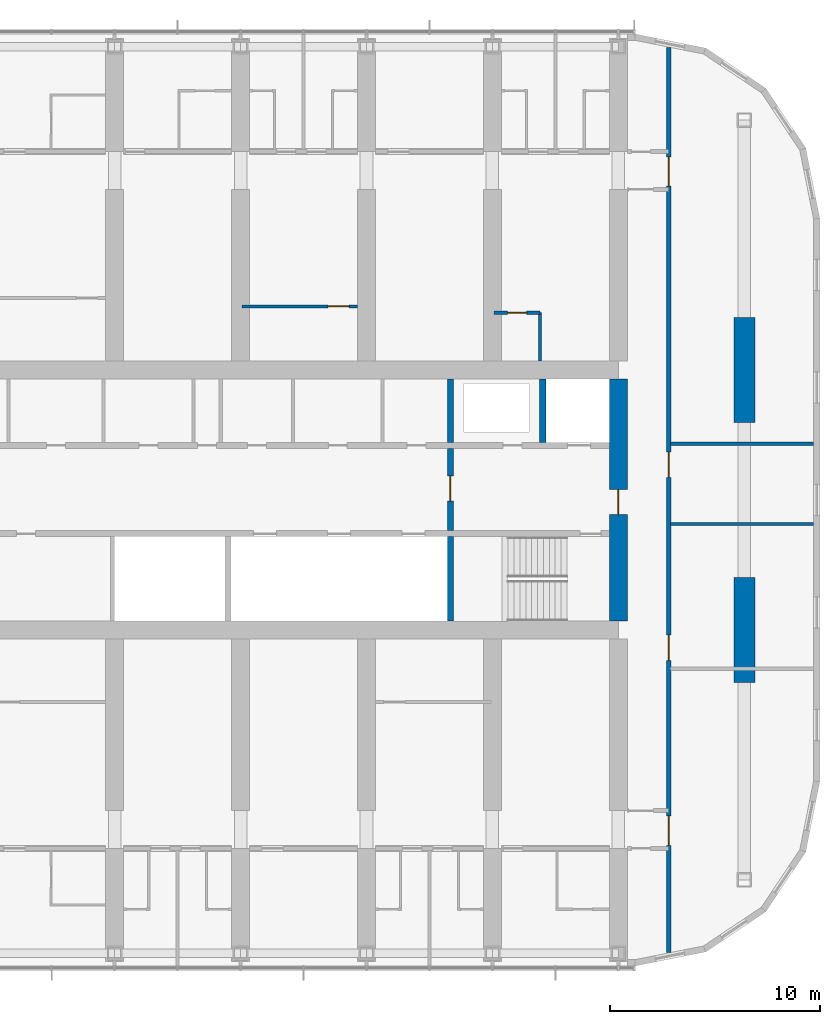
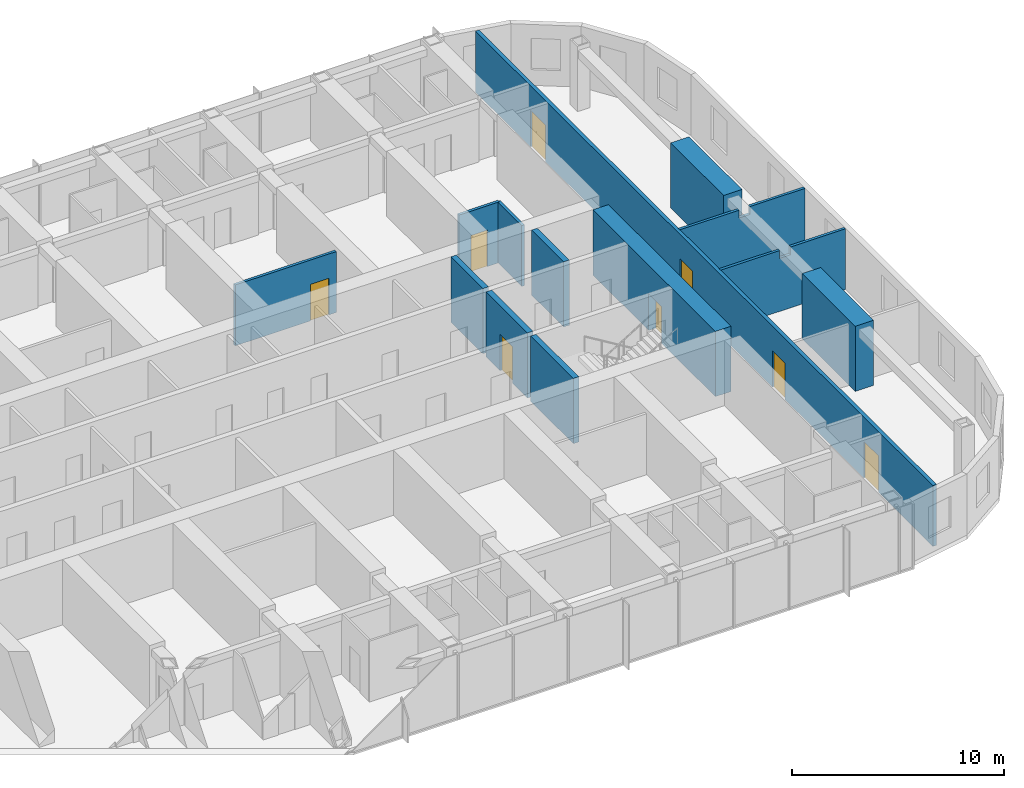
# One storey, part 14 of 22: 13 walls, 8 doors, 8 openings.
"""IFC4 building model written with IfcOpenShell, lengths in metres."""

from ifc_helpers import new_model, si_unit, direction, frame, frame_2d, origin, place, context, subcontext, project, spatial, polyline, rectangle, outline, extrude, material, layer, layer_set, type_object, element, fill, save


model = new_model("IFC4")

# Units and contexts
model_context = context("Model", 3, precision=1e-05, world=origin(), true_north=direction((0.0, 1.0)))
body_context = subcontext(model_context, "Body", "Model", "MODEL_VIEW")
ifc_project = project(units=[si_unit("LENGTHUNIT", "METRE"), si_unit("AREAUNIT", "SQUARE_METRE"), si_unit("VOLUMEUNIT", "CUBIC_METRE"), si_unit("PLANEANGLEUNIT", "RADIAN"), si_unit("MASSUNIT", "GRAM", prefix="KILO")], contexts=[model_context])

# Site, building, storey
site_placement = place(None, origin())
site = spatial("IfcSite", under=ifc_project, at=site_placement, CompositionType="ELEMENT")
building_placement = place(site_placement, origin())
building = spatial("IfcBuilding", under=site, at=building_placement, Name="Orbita Commons", CompositionType="ELEMENT")
storey_placement = place(building_placement, frame((0.0, 0.0, 167.35009765625)))
storey = spatial("IfcBuildingStorey", under=building, at=storey_placement, Name="L41", CompositionType="ELEMENT", Elevation=167.35009765625)

# Wall
ifc_material_1 = material(Name="Concrete C50/60", Category="concrete")
ifc_layer_1 = layer(ifc_material_1, 0.300048828125)
ifc_layer_set_1 = layer_set([ifc_layer_1], Name="Concrete C50/60")
wall_type_1 = type_object("IfcWallType", Name="Core inner wall 300 C50/60", PredefinedType="SHEAR", material=ifc_layer_set_1)
wall_1_placement = place(storey_placement, frame((58.0, 26.22509765625, 0.0), z_axis=(0.0, 0.0, 1.0), x_axis=(0.0, 1.0, 0.0)))
element("IfcWall", 1, at=wall_1_placement, inside=storey, type_object=wall_type_1, Name="Stair S2 wall L41", PredefinedType="SHEAR", context=body_context, shape_type="SweptSolid", body=[
    extrude(rectangle(XDim=4.02490234375, YDim=0.300048828125, at=frame_2d((2.012451171875, 0.0))), origin(), (0.0, 0.0, 1.0), 3.75),
])

# Wall, opening, door
wall_2_placement = place(storey_placement, frame((58.0, 30.550048828125, 0.0), z_axis=(0.0, 0.0, 1.0), x_axis=(0.0, 1.0, 0.0)))
wall_2 = element("IfcWall", 2, at=wall_2_placement, inside=storey, type_object=wall_type_1, Name="Firefighting lobby wall east L41", PredefinedType="SHEAR", context=body_context, shape_type="SweptSolid", body=[
    extrude(rectangle(XDim=3.89990234375, YDim=0.300048828125, at=frame_2d((1.949951171875, 0.0))), origin(), (0.0, 0.0, 1.0), 3.75),
])
opening_1_placement = place(wall_2_placement, frame((1.39990234375, 0.0, 0.0)))
opening_1 = element("IfcOpeningElement", 3, at=opening_1_placement, cuts=wall_2, Name="Opening D04", PredefinedType="OPENING", context=body_context, shape_type="SweptSolid", body=[
    extrude(rectangle(XDim=1.199951171875, YDim=2.10009765625, at=frame_2d((0.60009765625, 1.050048828125))), frame((0.0, 0.159912109375, 0.0), z_axis=(0.0, -1.0, 0.0), x_axis=(1.0, 0.0, 0.0)), (0.0, 0.0, 1.0), 0.320068359375),
])
ifc_material_2 = material(Name="Steel-faced fire door leaf", Category="steel")
door_type_1 = type_object("IfcDoorType", Name="Service door 20 min 1200x2100", OperationType="SINGLE_SWING_LEFT", PredefinedType="DOOR", material=ifc_material_2)
door_1_placement = place(opening_1_placement, origin())
door_1 = element("IfcDoor", 4, at=door_1_placement, inside=storey, type_object=door_type_1, Name="Lift lobby door east", OperationType="SINGLE_SWING_LEFT", OverallHeight=2.10009765625, OverallWidth=1.199951171875, PredefinedType="DOOR", context=body_context, shape_type="SweptSolid", body=[
    extrude(rectangle(XDim=1.199951171875, YDim=2.10009765625, at=frame_2d((0.60009765625, 1.050048828125))), frame((0.0, 0.02490234375, 0.0), z_axis=(0.0, -1.0, 0.0), x_axis=(1.0, 0.0, 0.0)), (0.0, 0.0, 1.0), 0.050048828125),
])
fill(opening_1, door_1)

# Walls
for number, where, z_axis, x_axis, name in (
    (5, (62.39990234375, 34.75, 0.0), (0.0, 0.0, 1.0), (0.0, 1.0, 0.0), "Firefighting lift FL2 shaft wall L41"),
    (6, (58.0, 34.75, 0.0), (0.0, 0.0, 1.0), (0.0, 1.0, 0.0), "Riser wall east L41"),
):
    element("IfcWall", number, at=place(storey_placement, frame(where, z_axis=z_axis, x_axis=x_axis)), inside=storey, type_object=wall_type_1, Name=name, PredefinedType="SHEAR", context=body_context, shape_type="SweptSolid", body=[
        extrude(rectangle(XDim=3.02490234375, YDim=0.300048828125, at=frame_2d((1.512451171875, 0.0))), origin(), (0.0, 0.0, 1.0), 3.75),
    ])

# Wall, opening, door
ifc_material_3 = material(Name="Concrete C50/60", Category="concrete")
ifc_layer_2 = layer(ifc_material_3, 0.85009765625)
ifc_layer_set_2 = layer_set([ifc_layer_2], Name="Concrete C50/60")
wall_type_2 = type_object("IfcWallType", Name="Core wall 850 C50/60", PredefinedType="SHEAR", material=ifc_layer_set_2)
wall_3_placement = place(storey_placement, frame((66.0, 26.22509765625, 0.0), z_axis=(0.0, 0.0, 1.0), x_axis=(0.0, 1.0, 0.0)))
wall_3 = element("IfcWall", 7, at=wall_3_placement, inside=storey, type_object=wall_type_2, Name="Core end wall east L41", PredefinedType="SHEAR", context=body_context, shape_type="SweptSolid", body=[
    extrude(rectangle(XDim=11.5498046875, YDim=0.85009765625, at=frame_2d((5.77490234375, 0.0))), origin(), (0.0, 0.0, 1.0), 3.75),
])
opening_2_placement = place(wall_3_placement, frame((5.074951171875, 0.0, 0.0)))
opening_2 = element("IfcOpeningElement", 8, at=opening_2_placement, cuts=wall_3, Name="Opening D01", PredefinedType="OPENING", context=body_context, shape_type="SweptSolid", body=[
    extrude(rectangle(XDim=1.199951171875, YDim=2.10009765625, at=frame_2d((0.60009765625, 1.050048828125))), frame((0.0, 0.43505859375, 0.0), z_axis=(0.0, -1.0, 0.0), x_axis=(1.0, 0.0, 0.0)), (0.0, 0.0, 1.0), 0.8701171875),
])
ifc_material_4 = material(Name="Steel-faced fire door leaf", Category="steel")
door_type_2 = type_object("IfcDoorType", Name="Fire door 90 min 1200x2100", OperationType="SINGLE_SWING_LEFT", PredefinedType="DOOR", material=ifc_material_4)
door_2_placement = place(opening_2_placement, origin())
door_2 = element("IfcDoor", 9, at=door_2_placement, inside=storey, type_object=door_type_2, Name="Firefighting lobby east door", OperationType="SINGLE_SWING_LEFT", OverallHeight=2.10009765625, OverallWidth=1.199951171875, PredefinedType="DOOR", context=body_context, shape_type="SweptSolid", body=[
    extrude(rectangle(XDim=1.199951171875, YDim=2.10009765625, at=frame_2d((0.60009765625, 1.050048828125))), frame((0.0, 0.02490234375, 0.0), z_axis=(0.0, -1.0, 0.0), x_axis=(1.0, 0.0, 0.0)), (0.0, 0.0, 1.0), 0.050048828125),
])
fill(opening_2, door_2)

# Wall, openings, doors
ifc_material_5 = material(Name="Concrete blockwork", Category="masonry")
ifc_layer_3 = layer(ifc_material_5, 0.199951171875)
ifc_layer_set_3 = layer_set([ifc_layer_3], Name="Concrete blockwork")
wall_type_3 = type_object("IfcWallType", Name="Corridor wall 200 blockwork", PredefinedType="SOLIDWALL", material=ifc_layer_set_3)
wall_4_placement = place(storey_placement, frame((68.39990234375, 10.4462890625, 0.0), z_axis=(0.0, 0.0, 1.0), x_axis=(0.0, 1.0, 0.0)))
wall_4 = element("IfcWall", 10, at=wall_4_placement, inside=storey, type_object=wall_type_3, Name="Corridor wall 200 blockwork L41", PredefinedType="SOLIDWALL", context=body_context, shape_type="SweptSolid", body=[
    extrude(rectangle(XDim=43.107421875, YDim=0.199951171875, at=frame_2d((21.5537109375, 0.0))), origin(), (0.0, 0.0, 1.0), 3.5),
])
opening_3_placement = place(wall_4_placement, frame((13.913818359375, 0.0, 0.0)))
opening_3 = element("IfcOpeningElement", 11, at=opening_3_placement, cuts=wall_4, Name="Opening D15", PredefinedType="OPENING", context=body_context, shape_type="SweptSolid", body=[
    extrude(rectangle(XDim=1.199951171875, YDim=2.10009765625, at=frame_2d((0.60009765625, 1.050048828125))), frame((0.0, 0.10986328125, 0.0), z_axis=(0.0, -1.0, 0.0), x_axis=(1.0, 0.0, 0.0)), (0.0, 0.0, 1.0), 0.219970703125),
])
opening_4_placement = place(wall_4_placement, frame((22.6337890625, 0.0, 0.0)))
opening_4 = element("IfcOpeningElement", 12, at=opening_4_placement, cuts=wall_4, Name="Opening D15", PredefinedType="OPENING", context=body_context, shape_type="SweptSolid", body=[
    extrude(rectangle(XDim=1.199951171875, YDim=2.10009765625, at=frame_2d((0.60009765625, 1.050048828125))), frame((0.0, 0.10986328125, 0.0), z_axis=(0.0, -1.0, 0.0), x_axis=(1.0, 0.0, 0.0)), (0.0, 0.0, 1.0), 0.219970703125),
])
opening_5_placement = place(wall_4_placement, frame((5.103759765625, 0.0, 0.0)))
opening_5 = element("IfcOpeningElement", 13, at=opening_5_placement, cuts=wall_4, Name="Opening D08", PredefinedType="OPENING", context=body_context, shape_type="SweptSolid", body=[
    extrude(rectangle(XDim=1.39990234375, YDim=2.10009765625, at=frame_2d((0.699951171875, 1.050048828125))), frame((0.0, 0.10986328125, 0.0), z_axis=(0.0, -1.0, 0.0), x_axis=(1.0, 0.0, 0.0)), (0.0, 0.0, 1.0), 0.219970703125),
])
opening_6_placement = place(wall_4_placement, frame((36.50390625, 0.0, 0.0)))
opening_6 = element("IfcOpeningElement", 14, at=opening_6_placement, cuts=wall_4, Name="Opening D08", PredefinedType="OPENING", context=body_context, shape_type="SweptSolid", body=[
    extrude(rectangle(XDim=1.39990234375, YDim=2.10009765625, at=frame_2d((0.699951171875, 1.050048828125))), frame((0.0, 0.10986328125, 0.0), z_axis=(0.0, -1.0, 0.0), x_axis=(1.0, 0.0, 0.0)), (0.0, 0.0, 1.0), 0.219970703125),
])
ifc_material_6 = material(Name="Steel-faced fire door leaf", Category="steel")
door_type_3 = type_object("IfcDoorType", Name="Corridor door 20 min 1200x2100", OperationType="SINGLE_SWING_LEFT", PredefinedType="DOOR", material=ifc_material_6)
door_3_placement = place(opening_3_placement, origin())
door_3 = element("IfcDoor", 15, at=door_3_placement, inside=storey, type_object=door_type_3, Name="Study hall door", OperationType="SINGLE_SWING_LEFT", OverallHeight=2.10009765625, OverallWidth=1.199951171875, PredefinedType="DOOR", context=body_context, shape_type="SweptSolid", body=[
    extrude(rectangle(XDim=1.199951171875, YDim=2.10009765625, at=frame_2d((0.60009765625, 1.050048828125))), frame((0.0, 0.02490234375, 0.0), z_axis=(0.0, -1.0, 0.0), x_axis=(1.0, 0.0, 0.0)), (0.0, 0.0, 1.0), 0.050048828125),
])
fill(opening_3, door_3)
door_4_placement = place(opening_4_placement, origin())
door_4 = element("IfcDoor", 16, at=door_4_placement, inside=storey, type_object=door_type_3, Name="Study commons door", OperationType="SINGLE_SWING_LEFT", OverallHeight=2.10009765625, OverallWidth=1.199951171875, PredefinedType="DOOR", context=body_context, shape_type="SweptSolid", body=[
    extrude(rectangle(XDim=1.199951171875, YDim=2.10009765625, at=frame_2d((0.60009765625, 1.050048828125))), frame((0.0, 0.02490234375, 0.0), z_axis=(0.0, -1.0, 0.0), x_axis=(1.0, 0.0, 0.0)), (0.0, 0.0, 1.0), 0.050048828125),
])
fill(opening_4, door_4)
ifc_material_7 = material(Name="Steel-faced fire door leaf", Category="steel")
door_type_4 = type_object("IfcDoorType", Name="Double corridor door 20 min 1400x2100", OperationType="DOUBLE_DOOR_SINGLE_SWING", PredefinedType="DOOR", material=ifc_material_7)
door_5_placement = place(opening_5_placement, origin())
door_5 = element("IfcDoor", 17, at=door_5_placement, inside=storey, type_object=door_type_4, Name="Lounge doors", OperationType="DOUBLE_DOOR_SINGLE_SWING", OverallHeight=2.10009765625, OverallWidth=1.39990234375, PredefinedType="DOOR", context=body_context, shape_type="SweptSolid", body=[
    extrude(rectangle(XDim=1.39990234375, YDim=2.10009765625, at=frame_2d((0.699951171875, 1.050048828125))), frame((0.0, 0.02490234375, 0.0), z_axis=(0.0, -1.0, 0.0), x_axis=(1.0, 0.0, 0.0)), (0.0, 0.0, 1.0), 0.050048828125),
])
fill(opening_5, door_5)
door_6_placement = place(opening_6_placement, origin())
door_6 = element("IfcDoor", 18, at=door_6_placement, inside=storey, type_object=door_type_4, Name="Lounge doors", OperationType="DOUBLE_DOOR_SINGLE_SWING", OverallHeight=2.10009765625, OverallWidth=1.39990234375, PredefinedType="DOOR", context=body_context, shape_type="SweptSolid", body=[
    extrude(rectangle(XDim=1.39990234375, YDim=2.10009765625, at=frame_2d((0.699951171875, 1.050048828125))), frame((0.0, 0.02490234375, 0.0), z_axis=(0.0, -1.0, 0.0), x_axis=(1.0, 0.0, 0.0)), (0.0, 0.0, 1.0), 0.050048828125),
])
fill(opening_6, door_6)

# Walls
ifc_material_8 = material(Name="Concrete C50/60", Category="concrete")
ifc_layer_4 = layer(ifc_material_8, 1.0)
ifc_layer_set_4 = layer_set([ifc_layer_4], Name="Concrete C50/60")
wall_type_4 = type_object("IfcWallType", Name="End pier 1000x5000 C50/60", PredefinedType="SHEAR", material=ifc_layer_set_4)
for number, where, z_axis, x_axis, name in (
    (19, (72.0, 23.300048828125, 0.0), (0.0, 0.0, 1.0), (0.0, 1.0, 0.0), "End pier 13/C L41"),
    (20, (72.0, 35.699951171875, 0.0), (0.0, 0.0, 1.0), (0.0, 1.0, 0.0), "End pier 13/D L41"),
):
    element("IfcWall", number, at=place(storey_placement, frame(where, z_axis=z_axis, x_axis=x_axis)), inside=storey, type_object=wall_type_4, Name=name, PredefinedType="SHEAR", context=body_context, shape_type="SweptSolid", body=[
        extrude(rectangle(XDim=5.0, YDim=1.0, at=frame_2d((2.5, 0.0))), origin(), (0.0, 0.0, 1.0), 3.75),
    ])

# Wall, opening, door
ifc_material_9 = material(Name="Gypsum plasterboard on steel studs", Category="steel")
ifc_layer_5 = layer(ifc_material_9, 0.14990234375)
ifc_layer_set_5 = layer_set([ifc_layer_5], Name="Gypsum plasterboard on steel studs")
wall_type_5 = type_object("IfcWallType", Name="Partition 150 plasterboard", PredefinedType="PARTITIONING", material=ifc_layer_set_5)
wall_5_placement = place(storey_placement, frame((53.574951171875, 41.22509765625, 0.0), z_axis=(0.0, 0.0, 1.0), x_axis=(-1.0, 0.0, 0.0)))
wall_5 = element("IfcWall", 21, at=wall_5_placement, inside=storey, type_object=wall_type_5, Name="Partition 150 plasterboard L41", PredefinedType="PARTITIONING", context=body_context, shape_type="SweptSolid", body=[
    extrude(rectangle(XDim=5.5, YDim=0.14990234375, at=frame_2d((2.75, 0.0))), origin(), (0.0, 0.0, 1.0), 3.5),
])
opening_7_placement = place(wall_5_placement, frame((0.39990234375, 0.0, 0.0)))
opening_7 = element("IfcOpeningElement", 22, at=opening_7_placement, cuts=wall_5, Name="Opening D17", PredefinedType="OPENING", context=body_context, shape_type="SweptSolid", body=[
    extrude(rectangle(XDim=1.0, YDim=2.10009765625, at=frame_2d((0.5, 1.050048828125))), frame((0.0, 0.0849609375, 0.0), z_axis=(0.0, -1.0, 0.0), x_axis=(1.0, 0.0, 0.0)), (0.0, 0.0, 1.0), 0.169921875),
])
ifc_material_10 = material(Name="Steel-faced fire door leaf", Category="steel")
door_type_5 = type_object("IfcDoorType", Name="Shaft access door 90 min 1000x2100", OperationType="SINGLE_SWING_LEFT", PredefinedType="DOOR", material=ifc_material_10)
door_7_placement = place(opening_7_placement, origin())
door_7 = element("IfcDoor", 23, at=door_7_placement, inside=storey, type_object=door_type_5, Name="Electrical and data room L41-BDN48 door", OperationType="SINGLE_SWING_LEFT", OverallHeight=2.10009765625, OverallWidth=1.0, PredefinedType="DOOR", context=body_context, shape_type="SweptSolid", body=[
    extrude(rectangle(XDim=1.0, YDim=2.10009765625, at=frame_2d((0.5, 1.050048828125))), frame((0.0, 0.02490234375, 0.0), z_axis=(0.0, -1.0, 0.0), x_axis=(1.0, 0.0, 0.0)), (0.0, 0.0, 1.0), 0.050048828125),
])
fill(opening_7, door_7)

# Wall
wall_6_placement = place(storey_placement, frame((62.27490234375, 40.925048828125, 0.0), z_axis=(0.0, 0.0, 1.0), x_axis=(0.0, -1.0, 0.0)))
element("IfcWall", 24, at=wall_6_placement, inside=storey, type_object=wall_type_5, Name="Partition 150 plasterboard L41", PredefinedType="PARTITIONING", context=body_context, shape_type="SweptSolid", body=[
    extrude(rectangle(XDim=2.300048828125, YDim=0.14990234375, at=frame_2d((1.14990234375, 0.0))), origin(), (0.0, 0.0, 1.0), 3.5),
])

# Wall, opening, door
wall_7_placement = place(storey_placement, frame((62.27490234375, 40.925048828125, 0.0), z_axis=(0.0, 0.0, 1.0), x_axis=(-1.0, 0.0, 0.0)))
wall_7 = element("IfcWall", 25, at=wall_7_placement, inside=storey, type_object=wall_type_5, Name="Partition 150 plasterboard L41", PredefinedType="PARTITIONING", context=body_context, shape_type="SweptSolid", body=[
    extrude(rectangle(XDim=2.199951171875, YDim=0.14990234375, at=frame_2d((1.10009765625, 0.0))), origin(), (0.0, 0.0, 1.0), 3.5),
])
opening_8_placement = place(wall_7_placement, frame((0.64990234375, 0.0, 0.0)))
opening_8 = element("IfcOpeningElement", 26, at=opening_8_placement, cuts=wall_7, Name="Opening D05", PredefinedType="OPENING", context=body_context, shape_type="SweptSolid", body=[
    extrude(rectangle(XDim=0.89990234375, YDim=2.10009765625, at=frame_2d((0.449951171875, 1.050048828125))), frame((0.0, 0.0849609375, 0.0), z_axis=(0.0, -1.0, 0.0), x_axis=(1.0, 0.0, 0.0)), (0.0, 0.0, 1.0), 0.169921875),
])
ifc_material_11 = material(Name="Steel-faced fire door leaf", Category="steel")
door_type_6 = type_object("IfcDoorType", Name="Service door 20 min 900x2100", OperationType="SINGLE_SWING_LEFT", PredefinedType="DOOR", material=ifc_material_11)
door_8_placement = place(opening_8_placement, origin())
door_8 = element("IfcDoor", 27, at=door_8_placement, inside=storey, type_object=door_type_6, Name="Accessible WC L41-BDN60 door", OperationType="SINGLE_SWING_LEFT", OverallHeight=2.10009765625, OverallWidth=0.89990234375, PredefinedType="DOOR", context=body_context, shape_type="SweptSolid", body=[
    extrude(rectangle(XDim=0.89990234375, YDim=2.10009765625, at=frame_2d((0.449951171875, 1.050048828125))), frame((0.0, 0.02490234375, 0.0), z_axis=(0.0, -1.0, 0.0), x_axis=(1.0, 0.0, 0.0)), (0.0, 0.0, 1.0), 0.050048828125),
])
fill(opening_8, door_8)

# Walls
for number, where, z_axis, x_axis, name in (
    (28, (68.47509765625, 30.85009765625, 0.0), (0.0, 0.0, 1.0), (1.0, 0.0, 0.0), "Partition 150 plasterboard L41"),
    (29, (68.47509765625, 34.679931640625, 0.0), (0.0, 0.0, 1.0), (1.0, 0.0, 0.0), "Partition 150 plasterboard L41"),
):
    element("IfcWall", number, at=place(storey_placement, frame(where, z_axis=z_axis, x_axis=x_axis)), inside=storey, type_object=wall_type_5, Name=name, PredefinedType="PARTITIONING", context=body_context, shape_type="SweptSolid", body=[
        extrude(outline(polyline([(0.0, 0.0), (6.81982421875, 0.0), (6.820068359375, 3.5), (3.826904296875, 3.5), (3.824951171875, 3.0498046875), (3.22705078125, 3.0498046875), (3.22509765625, 3.5), (0.0, 3.5), (0.0, 0.0)])), frame((0.0, 0.074951171875, 0.0), z_axis=(0.0, -1.0, 0.0), x_axis=(1.0, 0.0, 0.0)), (0.0, 0.0, 1.0), 0.14990234375),
    ])

save(model, "model.ifc")
